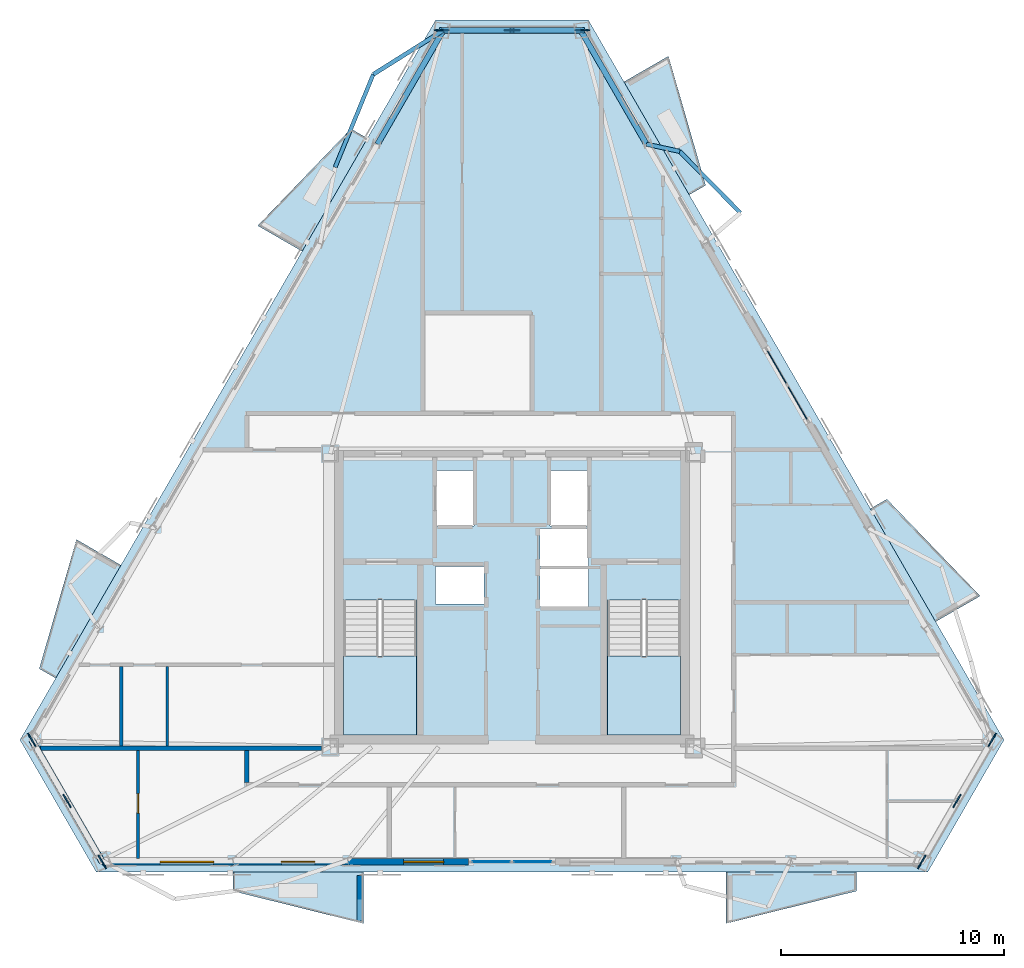
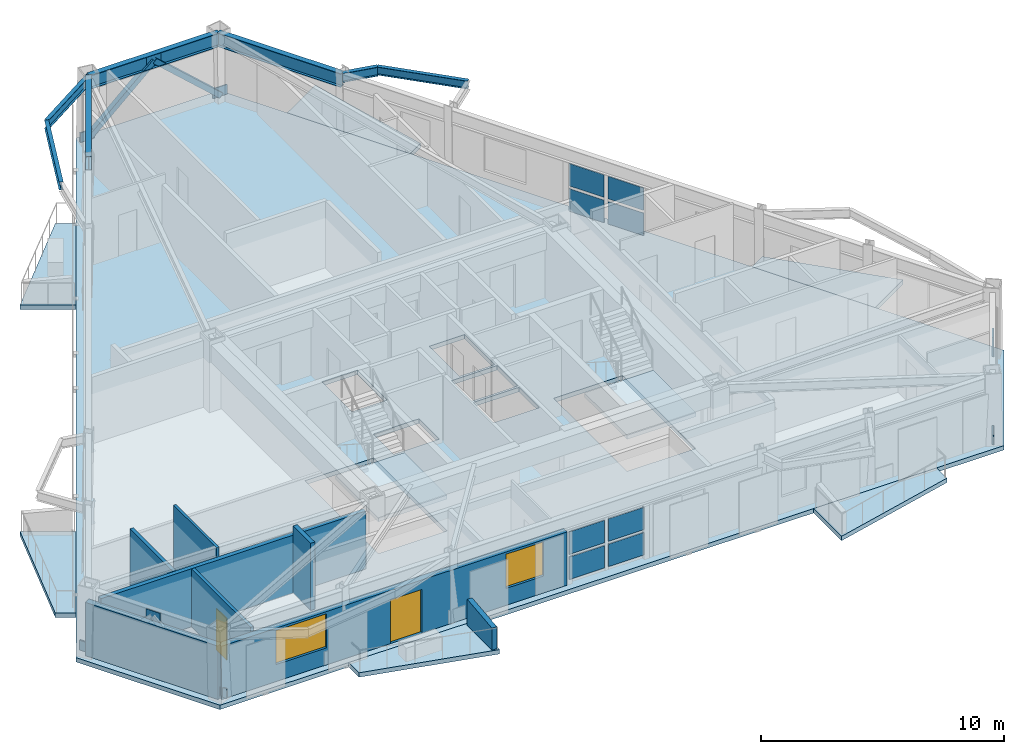
# One storey, part 5 of 12: 17 plates, 9 slabs, 8 walls, 7 beams, 2 doors, 2 members, 2 windows, 4 openings, 4 elements without a shape of their own.
"""IFC4 building model written with IfcOpenShell, lengths in metres."""

from ifc_helpers import new_model, si_unit, direction, frame, frame_2d, origin, origin_2d, place, context, subcontext, project, spatial, polyline, rectangle, hollow_rectangle, i_section, outline, extrude, material, layer, layer_set, material_profile, profile_set, type_object, element, fill, aggregate, save


model = new_model("IFC4")

# Units and contexts
model_context = context("Model", 3, precision=1e-05, world=origin(), true_north=direction((0.0, 1.0)))
body_context = subcontext(model_context, "Body", "Model", "MODEL_VIEW")
ifc_project = project(units=[si_unit("LENGTHUNIT", "METRE"), si_unit("AREAUNIT", "SQUARE_METRE"), si_unit("VOLUMEUNIT", "CUBIC_METRE"), si_unit("PLANEANGLEUNIT", "RADIAN"), si_unit("MASSUNIT", "GRAM", prefix="KILO")], contexts=[model_context])

# Site, building, storey
site_placement = place(None, origin())
site = spatial("IfcSite", under=ifc_project, at=site_placement, CompositionType="ELEMENT")
building_placement = place(site_placement, origin())
building = spatial("IfcBuilding", under=site, at=building_placement, Name="Oramaril Tower", CompositionType="ELEMENT")
storey_placement = place(building_placement, frame((0.0, 0.0, 227.10009765625)))
storey = spatial("IfcBuildingStorey", under=building, at=storey_placement, Name="L60", CompositionType="ELEMENT", Elevation=227.10009765625)

# Beams
ifc_material_1 = material(Name="Steel ASTM A572 Gr 50", Category="steel")
ifc_material_profile_1 = material_profile(ifc_material_1, i_section(OverallWidth=0.19091796875, OverallDepth=0.45703125, WebThickness=0.009033203125, FlangeThickness=0.014404296875, at=origin_2d()), Name="W18X50")
ifc_profile_set_1 = profile_set([ifc_material_profile_1], Name="Steel ASTM A572 Gr 50")
beam_type_1 = type_object("IfcBeamType", Name="BT-BB1", PredefinedType="BEAM", material=ifc_profile_set_1)
beam_1_placement = place(storey_placement, frame((43.530029296875, 38.027099609375, 3.1513671875), z_axis=(0.977186481747, -0.212383097, 0.0), x_axis=(0.212383097, 0.977186481747, 0.0)))
element("IfcBeam", 1, at=beam_1_placement, inside=storey, type_object=beam_type_1, Name="L60 Balcony Column-Framed Cantilever 04.2", PredefinedType="BEAM", context=body_context, shape_type="SweptSolid", body=[
    extrude(i_section(OverallWidth=0.19091796875, OverallDepth=0.45703125, WebThickness=0.009033203125, FlangeThickness=0.014404296875, at=origin_2d()), origin(), (0.0, 0.0, 1.0), 1.524169921875),
])
beam_2_placement = place(storey_placement, frame((34.41357421875, 43.125732421875, 3.1513671875), z_axis=(-0.846798752878, -0.531913406604, 0.0), x_axis=(0.531913406604, -0.846798752878, 0.0)))
element("IfcBeam", 2, at=beam_2_placement, inside=storey, type_object=beam_type_1, Name="L60 Balcony Column-Framed Cantilever 05.1", PredefinedType="BEAM", context=body_context, shape_type="SweptSolid", body=[
    extrude(i_section(OverallWidth=0.19091796875, OverallDepth=0.45703125, WebThickness=0.009033203125, FlangeThickness=0.014404296875, at=origin_2d()), origin(), (0.0, 0.0, 1.0), 3.699951171875),
])
ifc_material_2 = material(Name="Steel ASTM A572 Gr 50", Category="steel")
ifc_material_profile_2 = material_profile(ifc_material_2, i_section(OverallWidth=0.177978515625, OverallDepth=0.404052734375, WebThickness=0.007568359375, FlangeThickness=0.010986328125, at=origin_2d()), Name="W16X36")
ifc_profile_set_2 = profile_set([ifc_material_profile_2], Name="Steel ASTM A572 Gr 50")
beam_type_2 = type_object("IfcBeamType", Name="BT-SB1", PredefinedType="BEAM", material=ifc_profile_set_2)
beam_3_placement = place(storey_placement, frame((47.740234375, 34.950927734375, 3.177978515625), z_axis=(-0.702994511648, 0.71119527318, 0.0), x_axis=(-0.71119527318, -0.702994511648, 0.0)))
element("IfcBeam", 3, at=beam_3_placement, inside=storey, type_object=beam_type_2, Name="L60 Balcony Edge Tie Beam 04", PredefinedType="BEAM", context=body_context, shape_type="SweptSolid", body=[
    extrude(i_section(OverallWidth=0.177978515625, OverallDepth=0.404052734375, WebThickness=0.007568359375, FlangeThickness=0.010986328125, at=origin_2d()), origin(), (0.0, 0.0, 1.0), 3.8701171875),
])
beam_4_placement = place(storey_placement, frame((31.280517578125, 41.15771484375, 3.177978515625), z_axis=(-0.379857521813, -0.925045005998, 0.0), x_axis=(0.925045005998, -0.379857521813, 0.0)))
element("IfcBeam", 4, at=beam_4_placement, inside=storey, type_object=beam_type_2, Name="L60 Balcony Edge Tie Beam 05", PredefinedType="BEAM", context=body_context, shape_type="SweptSolid", body=[
    extrude(i_section(OverallWidth=0.177978515625, OverallDepth=0.404052734375, WebThickness=0.007568359375, FlangeThickness=0.010986328125, at=origin_2d()), origin(), (0.0, 0.0, 1.0), 4.5009765625),
])
ifc_material_3 = material(Name="Steel ASTM A572 Gr 50", Category="steel")
ifc_material_profile_3 = material_profile(ifc_material_3, i_section(OverallWidth=0.257080078125, OverallDepth=0.693115234375, WebThickness=0.014404296875, FlangeThickness=0.023681640625, at=origin_2d()), Name="W27X114")
ifc_profile_set_3 = profile_set([ifc_material_profile_3], Name="Steel ASTM A572 Gr 50")
beam_type_3 = type_object("IfcBeamType", Name="BT-SP4", PredefinedType="SPANDREL", material=ifc_profile_set_3)
beam_5_placement = place(storey_placement, frame((43.530029296875, 38.027099609375, 3.033447265625), z_axis=(-0.499988087393, 0.866032281422, 0.0), x_axis=(-0.866032281422, -0.499988087393, 0.0)))
element("IfcBeam", 5, at=beam_5_placement, inside=storey, type_object=beam_type_3, Name="L60 Perimeter Spandrel 12", PredefinedType="SPANDREL", context=body_context, shape_type="SweptSolid", body=[
    extrude(i_section(OverallWidth=0.257080078125, OverallDepth=0.693115234375, WebThickness=0.014404296875, FlangeThickness=0.023681640625, at=origin_2d()), origin(), (0.0, 0.0, 1.0), 5.887451171875),
])
beam_6_placement = place(storey_placement, frame((40.58642578125, 43.125732421875, 3.033447265625), z_axis=(-1.0, 0.0, 0.0), x_axis=(0.0, -1.0, 0.0)))
element("IfcBeam", 6, at=beam_6_placement, inside=storey, type_object=beam_type_3, Name="L60 Perimeter Spandrel 13", PredefinedType="SPANDREL", context=body_context, shape_type="SweptSolid", body=[
    extrude(i_section(OverallWidth=0.257080078125, OverallDepth=0.693115234375, WebThickness=0.014404296875, FlangeThickness=0.023681640625, at=origin_2d()), origin(), (0.0, 0.0, 1.0), 6.1728515625),
])
beam_7_placement = place(storey_placement, frame((34.41357421875, 43.125732421875, 3.033447265625), z_axis=(-0.499988087393, -0.866032281422, 0.0), x_axis=(0.866032281422, -0.499988087393, 0.0)))
element("IfcBeam", 7, at=beam_7_placement, inside=storey, type_object=beam_type_3, Name="L60 Perimeter Spandrel 14", PredefinedType="SPANDREL", context=body_context, shape_type="SweptSolid", body=[
    extrude(i_section(OverallWidth=0.257080078125, OverallDepth=0.693115234375, WebThickness=0.014404296875, FlangeThickness=0.023681640625, at=origin_2d()), origin(), (0.0, 0.0, 1.0), 5.887451171875),
])

# Members
ifc_material_4 = material(Name="Steel ASTM A572 Gr 50", Category="steel")
ifc_material_profile_4 = material_profile(ifc_material_4, hollow_rectangle(XDim=0.25, YDim=0.25, WallThickness=0.011962890625, at=origin_2d()), Name="HSS250X250X12")
ifc_profile_set_4 = profile_set([ifc_material_profile_4], Name="Steel ASTM A572 Gr 50")
member_type = type_object("IfcMemberType", Name="MT-KB3", PredefinedType="BRACE", material=ifc_profile_set_4)
for number, where, z_axis, x_axis, name in (
    (8, (40.656005859375, 43.135009765625, 0.179931640625), (-0.741760037469, 0.0, 0.670665376185), (0.0, -1.0, 0.0), "L60 Perimeter Chevron Brace KB-3A"),
    (9, (34.343994140625, 43.135009765625, 0.179931640625), (0.741760037469, 0.0, 0.670665376185), (0.0, 1.0, 0.0), "L60 Perimeter Chevron Brace KB-3B"),
):
    element("IfcMember", number, at=place(storey_placement, frame(where, z_axis=z_axis, x_axis=x_axis)), inside=storey, type_object=member_type, Name=name, PredefinedType="BRACE", context=body_context, shape_type="SweptSolid", body=[
        extrude(hollow_rectangle(XDim=0.25, YDim=0.25, WallThickness=0.011962890625, at=origin_2d()), origin(), (0.0, 0.0, 1.0), 4.254638671875),
    ])

# Curtain wall, plates
ifc_material_5 = material(Name="Anodised Aluminium 6063-T6", Category="aluminium")
ifc_layer_1 = layer(ifc_material_5, 0.179931640625)
ifc_layer_set_1 = layer_set([ifc_layer_1], Name="CWT-SYS4")
curtain_wall_type = type_object("IfcCurtainWallType", Name="CWT-SYS4", PredefinedType="NOTDEFINED", material=ifc_layer_set_1)
curtain_wall_1_placement = place(storey_placement, origin())
curtain_wall_1 = element("IfcCurtainWall", 10, at=curtain_wall_1_placement, inside=storey, type_object=curtain_wall_type, Name="L60 Unitised Curtain Wall CW-4", PredefinedType="NOTDEFINED")
ifc_material_6 = material(Name="Coastal Low-E Insulated Glass", Category="glass")
ifc_layer_2 = layer(ifc_material_6, 0.0400390625)
ifc_layer_set_2 = layer_set([ifc_layer_2], Name="PLT-CWP4")
plate_type_1 = type_object("IfcPlateType", Name="PLT-CWP4", PredefinedType="CURTAIN_PANEL", material=ifc_layer_set_2)
plate_1_placement = place(storey_placement, frame((36.570068359375, 5.849365234375, 0.139892578125), z_axis=(0.0, 0.0, 1.0), x_axis=(1.0, 0.0, 0.0)))
plate_1 = element("IfcPlate", 11, at=plate_1_placement, type_object=plate_type_1, Name="CW-4 panel 1.1", PredefinedType="CURTAIN_PANEL", context=body_context, shape_type="SweptSolid", body=[
    extrude(rectangle(XDim=1.679931640625, YDim=0.0400390625, at=origin_2d()), origin(), (0.0, 0.0, 1.0), 1.12841796875),
])
plate_2_placement = place(storey_placement, frame((36.570068359375, 5.849365234375, 1.408447265625), z_axis=(0.0, 0.0, 1.0), x_axis=(1.0, 0.0, 0.0)))
plate_2 = element("IfcPlate", 12, at=plate_2_placement, type_object=plate_type_1, Name="CW-4 panel 1.2", PredefinedType="CURTAIN_PANEL", context=body_context, shape_type="SweptSolid", body=[
    extrude(rectangle(XDim=1.679931640625, YDim=0.0400390625, at=origin_2d()), origin(), (0.0, 0.0, 1.0), 1.12841796875),
])
plate_3_placement = place(storey_placement, frame((38.429931640625, 5.849365234375, 0.139892578125), z_axis=(0.0, 0.0, 1.0), x_axis=(1.0, 0.0, 0.0)))
plate_3 = element("IfcPlate", 13, at=plate_3_placement, type_object=plate_type_1, Name="CW-4 panel 2.1", PredefinedType="CURTAIN_PANEL", context=body_context, shape_type="SweptSolid", body=[
    extrude(rectangle(XDim=1.679931640625, YDim=0.0400390625, at=origin_2d()), origin(), (0.0, 0.0, 1.0), 1.12841796875),
])
plate_4_placement = place(storey_placement, frame((38.429931640625, 5.849365234375, 1.408447265625), z_axis=(0.0, 0.0, 1.0), x_axis=(1.0, 0.0, 0.0)))
plate_4 = element("IfcPlate", 14, at=plate_4_placement, type_object=plate_type_1, Name="CW-4 panel 2.2", PredefinedType="CURTAIN_PANEL", context=body_context, shape_type="SweptSolid", body=[
    extrude(rectangle(XDim=1.679931640625, YDim=0.0400390625, at=origin_2d()), origin(), (0.0, 0.0, 1.0), 1.12841796875),
])
aggregate(curtain_wall_1, [plate_1, plate_2, plate_3, plate_4])

curtain_wall_2_placement = place(storey_placement, origin())
curtain_wall_2 = element("IfcCurtainWall", 15, at=curtain_wall_2_placement, inside=storey, type_object=curtain_wall_type, Name="L60 Unitised Curtain Wall CW-4", PredefinedType="NOTDEFINED")
plate_5_placement = place(storey_placement, frame((50.306396484375, 26.419921875, 0.139892578125), z_axis=(0.0, 0.0, 1.0), x_axis=(-0.499999897278, 0.866025463091, 0.0)))
plate_5 = element("IfcPlate", 16, at=plate_5_placement, type_object=plate_type_1, Name="CW-4 panel 1.1", PredefinedType="CURTAIN_PANEL", context=body_context, shape_type="SweptSolid", body=[
    extrude(rectangle(XDim=1.679931640625, YDim=0.0400390625, at=origin_2d()), origin(), (0.0, 0.0, 1.0), 1.12841796875),
])
plate_6_placement = place(storey_placement, frame((50.306396484375, 26.419921875, 1.408447265625), z_axis=(0.0, 0.0, 1.0), x_axis=(-0.499999897278, 0.866025463091, 0.0)))
plate_6 = element("IfcPlate", 17, at=plate_6_placement, type_object=plate_type_1, Name="CW-4 panel 1.2", PredefinedType="CURTAIN_PANEL", context=body_context, shape_type="SweptSolid", body=[
    extrude(rectangle(XDim=1.679931640625, YDim=0.0400390625, at=origin_2d()), origin(), (0.0, 0.0, 1.0), 1.12841796875),
])
plate_7_placement = place(storey_placement, frame((49.37646484375, 28.03076171875, 0.139892578125), z_axis=(0.0, 0.0, 1.0), x_axis=(-0.499999897278, 0.866025463091, 0.0)))
plate_7 = element("IfcPlate", 18, at=plate_7_placement, type_object=plate_type_1, Name="CW-4 panel 2.1", PredefinedType="CURTAIN_PANEL", context=body_context, shape_type="SweptSolid", body=[
    extrude(rectangle(XDim=1.679931640625, YDim=0.0400390625, at=origin_2d()), origin(), (0.0, 0.0, 1.0), 1.12841796875),
])
plate_8_placement = place(storey_placement, frame((49.37646484375, 28.03076171875, 1.408447265625), z_axis=(0.0, 0.0, 1.0), x_axis=(-0.499999897278, 0.866025463091, 0.0)))
plate_8 = element("IfcPlate", 19, at=plate_8_placement, type_object=plate_type_1, Name="CW-4 panel 2.2", PredefinedType="CURTAIN_PANEL", context=body_context, shape_type="SweptSolid", body=[
    extrude(rectangle(XDim=1.679931640625, YDim=0.0400390625, at=origin_2d()), origin(), (0.0, 0.0, 1.0), 1.12841796875),
])
aggregate(curtain_wall_2, [plate_5, plate_6, plate_7, plate_8])

# Plates
ifc_material_7 = material(Name="Steel ASTM A572 Gr 50", Category="steel")
ifc_layer_3 = layer(ifc_material_7, 0.06005859375)
ifc_layer_set_3 = layer_set([ifc_layer_3], Name="PLT-G60")
plate_type_2 = type_object("IfcPlateType", Name="PLT-G60", PredefinedType="USERDEFINED", material=ifc_layer_set_3)
for number, where, z_axis, x_axis, name in (
    (20, (17.551025390625, 8.58251953125, 2.79345703125), (0.0, 0.0, 1.0), (0.500003022996, -0.86602365845, 0.0), "L60 Chevron Brace Gusset Plate BN-1"),
    (21, (15.97314453125, 11.315673828125, 0.099853515625), (0.0, 0.0, 1.0), (0.500003022996, -0.86602365845, 0.0), "L60 Chevron Brace Gusset Plate BN-1"),
    (22, (19.129150390625, 5.849365234375, 0.099853515625), (0.0, 0.0, 1.0), (0.500003022996, -0.86602365845, 0.0), "L60 Chevron Brace Gusset Plate BN-1"),
    (23, (57.448974609375, 8.58251953125, 2.79345703125), (0.0, 0.0, 1.0), (0.500003022996, 0.86602365845, 0.0), "L60 Chevron Brace Gusset Plate BN-1"),
    (24, (55.870849609375, 5.849365234375, 0.099853515625), (0.0, 0.0, 1.0), (0.500003022996, 0.86602365845, 0.0), "L60 Chevron Brace Gusset Plate BN-1"),
    (25, (59.02685546875, 11.315673828125, 0.099853515625), (0.0, 0.0, 1.0), (0.500003022996, 0.86602365845, 0.0), "L60 Chevron Brace Gusset Plate BN-1"),
    (26, (37.5, 43.135009765625, 2.79345703125), (0.0, 0.0, 1.0), (-1.0, 0.0, 0.0), "L60 Chevron Brace Gusset Plate BN-1"),
    (27, (40.656005859375, 43.135009765625, 0.099853515625), (0.0, 0.0, 1.0), (-1.0, 0.0, 0.0), "L60 Chevron Brace Gusset Plate BN-1"),
    (28, (34.343994140625, 43.135009765625, 0.099853515625), (0.0, 0.0, 1.0), (-1.0, 0.0, 0.0), "L60 Chevron Brace Gusset Plate BN-1"),
):
    element("IfcPlate", number, at=place(storey_placement, frame(where, z_axis=z_axis, x_axis=x_axis)), inside=storey, type_object=plate_type_2, Name=name, ObjectType="GUSSET", PredefinedType="USERDEFINED", context=body_context, shape_type="SweptSolid", body=[
        extrude(rectangle(XDim=0.679931640625, YDim=0.06005859375, at=origin_2d()), origin(), (0.0, 0.0, 1.0), 0.47998046875),
    ])

# Slabs
ifc_material_8 = material(Name="Concrete C40/50", Category="concrete")
ifc_layer_4 = layer(ifc_material_8, 0.199951171875)
ifc_layer_set_4 = layer_set([ifc_layer_4], Name="SLT-BAL20")
slab_type_1 = type_object("IfcSlabType", Name="SLT-BAL20", PredefinedType="FLOOR", material=ifc_layer_set_4)
slab_1_placement = place(storey_placement, frame((0.0, 0.0, -0.22021484375)))
element("IfcSlab", 29, at=slab_1_placement, inside=storey, type_object=slab_type_1, Name="L60 Cantilevered Balcony Slab L60-BAL-S2", PredefinedType="FLOOR", context=body_context, shape_type="SweptSolid", body=[
    extrude(outline(polyline([(47.08642578125, 5.391357421875), (52.9365234375, 5.391357421875), (52.9365234375, 4.539306640625), (47.08642578125, 3.08935546875), (47.08642578125, 5.391357421875)])), origin(), (0.0, 0.0, 1.0), 0.22021484375),
])
slab_2_placement = place(storey_placement, frame((0.0, 0.0, -0.22021484375)))
element("IfcSlab", 30, at=slab_2_placement, inside=storey, type_object=slab_type_1, Name="L60 Cantilevered Balcony Slab L60-BAL-NE1", PredefinedType="FLOOR", context=body_context, shape_type="SweptSolid", body=[
    extrude(outline(polyline([(56.493896484375, 16.618896484375), (53.56884765625, 21.685302734375), (54.306640625, 22.111328125), (58.487548828125, 17.77001953125), (56.493896484375, 16.618896484375)])), origin(), (0.0, 0.0, 1.0), 0.22021484375),
])
slab_3_placement = place(storey_placement, frame((0.0, 0.0, -0.22021484375)))
element("IfcSlab", 31, at=slab_3_placement, inside=storey, type_object=slab_type_1, Name="L60 Cantilevered Balcony Slab L60-BAL-NW2", PredefinedType="FLOOR", context=body_context, shape_type="SweptSolid", body=[
    extrude(outline(polyline([(19.968505859375, 19.152099609375), (17.043701171875, 14.0859375), (16.305908203125, 14.511962890625), (17.97509765625, 20.302978515625), (19.968505859375, 19.152099609375)])), origin(), (0.0, 0.0, 1.0), 0.22021484375),
])
ifc_material_9 = material(Name="Concrete C50/60", Category="concrete")
ifc_layer_5 = layer(ifc_material_9, 0.219970703125)
ifc_layer_set_5 = layer_set([ifc_layer_5], Name="SLT-FLR22")
slab_type_2 = type_object("IfcSlabType", Name="SLT-FLR22", PredefinedType="FLOOR", material=ifc_layer_set_5)
slab_4_placement = place(storey_placement, frame((0.0, 0.0, -0.22021484375)))
element("IfcSlab", 32, at=slab_4_placement, inside=storey, type_object=slab_type_2, Name="L60 Structural Floor Slab", PredefinedType="FLOOR", context=body_context, shape_type="SweptSolid", body=[
    extrude(outline(polyline([(15.44189453125, 11.315673828125), (18.863525390625, 5.389404296875), (56.136474609375, 5.389404296875), (59.55810546875, 11.315673828125), (40.921630859375, 43.59521484375), (34.078369140625, 43.59521484375), (15.44189453125, 11.315673828125)]), holes=[polyline([(29.949951171875, 17.58935546875), (29.949951171875, 11.550048828125), (33.219970703125, 11.550048828125), (33.219970703125, 17.58935546875), (29.949951171875, 17.58935546875)]), polyline([(41.780029296875, 17.58935546875), (41.780029296875, 11.550048828125), (45.050048828125, 11.550048828125), (45.050048828125, 17.58935546875), (41.780029296875, 17.58935546875)]), polyline([(34.110107421875, 20.909912109375), (35.7900390625, 20.909912109375), (35.7900390625, 23.389892578125), (34.110107421875, 23.389892578125), (34.110107421875, 20.909912109375)]), polyline([(39.2099609375, 20.909912109375), (40.889892578125, 20.909912109375), (40.889892578125, 23.389892578125), (39.2099609375, 23.389892578125), (39.2099609375, 20.909912109375)]), polyline([(34.06005859375, 17.409912109375), (36.239990234375, 17.409912109375), (36.239990234375, 19.090087890625), (34.06005859375, 19.090087890625), (34.06005859375, 17.409912109375)]), polyline([(38.760009765625, 17.31005859375), (40.93994140625, 17.31005859375), (40.93994140625, 18.989990234375), (38.760009765625, 18.989990234375), (38.760009765625, 17.31005859375)]), polyline([(38.760009765625, 19.110107421875), (40.93994140625, 19.110107421875), (40.93994140625, 20.7900390625), (38.760009765625, 20.7900390625), (38.760009765625, 19.110107421875)])]), origin(), (0.0, 0.0, 1.0), 0.22021484375),
])

# Stair, slab
ifc_material_10 = material(Name="Concrete C50/60", Category="concrete")
stair_type = type_object("IfcStairType", Name="STT-DG-3600", PredefinedType="HALF_TURN_STAIR", material=ifc_material_10)
stair_1_placement = place(storey_placement, origin())
stair_1 = element("IfcStair", 33, at=stair_1_placement, inside=storey, type_object=stair_type, Name="L60 Protected PFP Exit Stair ST-1", PredefinedType="HALF_TURN_STAIR")
ifc_material_11 = material(Name="Concrete C50/60", Category="concrete")
ifc_layer_6 = layer(ifc_material_11, 0.199951171875)
ifc_layer_set_6 = layer_set([ifc_layer_6], Name="SLT-LND20")
slab_type_3 = type_object("IfcSlabType", Name="SLT-LND20", PredefinedType="LANDING", material=ifc_layer_set_6)
slab_5_placement = place(storey_placement, frame((0.0, 0.0, 1.599853515625)))
slab_5 = element("IfcSlab", 34, at=slab_5_placement, type_object=slab_type_3, Name="ST-1 landing 1", PredefinedType="LANDING", context=body_context, shape_type="SweptSolid", body=[
    extrude(outline(polyline([(29.949951171875, 15.070068359375), (29.949951171875, 11.550048828125), (33.219970703125, 11.550048828125), (33.219970703125, 15.070068359375), (29.949951171875, 15.070068359375)])), origin(), (0.0, 0.0, 1.0), 0.199951171875),
])
aggregate(stair_1, [slab_5])

stair_2_placement = place(storey_placement, origin())
stair_2 = element("IfcStair", 35, at=stair_2_placement, inside=storey, type_object=stair_type, Name="L60 Protected PFP Exit Stair ST-2", PredefinedType="HALF_TURN_STAIR")
slab_6_placement = place(storey_placement, frame((0.0, 0.0, 1.599853515625)))
slab_6 = element("IfcSlab", 36, at=slab_6_placement, type_object=slab_type_3, Name="ST-2 landing 1", PredefinedType="LANDING", context=body_context, shape_type="SweptSolid", body=[
    extrude(outline(polyline([(41.780029296875, 15.070068359375), (41.780029296875, 11.550048828125), (45.050048828125, 11.550048828125), (45.050048828125, 15.070068359375), (41.780029296875, 15.070068359375)])), origin(), (0.0, 0.0, 1.0), 0.199951171875),
])
aggregate(stair_2, [slab_6])

# Slabs
ifc_material_12 = material(Name="Concrete C40/50", Category="concrete")
ifc_layer_7 = layer(ifc_material_12, 0.18994140625)
ifc_layer_set_7 = layer_set([ifc_layer_7], Name="SLT-PLN19")
slab_type_4 = type_object("IfcSlabType", Name="SLT-PLN19", PredefinedType="FLOOR", material=ifc_layer_set_7)
slab_7_placement = place(storey_placement, frame((0.0, 0.0, -0.22021484375)))
element("IfcSlab", 37, at=slab_7_placement, inside=storey, type_object=slab_type_4, Name="L60 Tree Planter Balcony Slab L60-BAL-S1", PredefinedType="FLOOR", context=body_context, shape_type="SweptSolid", body=[
    extrude(outline(polyline([(24.988525390625, 5.391357421875), (30.83837890625, 5.391357421875), (30.83837890625, 3.08935546875), (24.988525390625, 4.539306640625), (24.988525390625, 5.391357421875)])), origin(), (0.0, 0.0, 1.0), 0.22021484375),
])
slab_8_placement = place(storey_placement, frame((0.0, 0.0, -0.22021484375)))
element("IfcSlab", 38, at=slab_8_placement, inside=storey, type_object=slab_type_4, Name="L60 Tree Planter Balcony Slab L60-BAL-NE2", PredefinedType="FLOOR", context=body_context, shape_type="SweptSolid", body=[
    extrude(outline(polyline([(45.44482421875, 35.756591796875), (42.52001953125, 40.82275390625), (44.513427734375, 41.973876953125), (46.1826171875, 36.1826171875), (45.44482421875, 35.756591796875)])), origin(), (0.0, 0.0, 1.0), 0.22021484375),
])
slab_9_placement = place(storey_placement, frame((0.0, 0.0, -0.22021484375)))
element("IfcSlab", 39, at=slab_9_placement, inside=storey, type_object=slab_type_4, Name="L60 Tree Planter Balcony Slab L60-BAL-NW1", PredefinedType="FLOOR", context=body_context, shape_type="SweptSolid", body=[
    extrude(outline(polyline([(31.017578125, 38.289794921875), (28.092529296875, 33.223388671875), (26.09912109375, 34.37451171875), (30.27978515625, 38.7158203125), (31.017578125, 38.289794921875)])), origin(), (0.0, 0.0, 1.0), 0.22021484375),
])

# Wall
ifc_material_13 = material(Name="Warm Cream Limestone", Category="masonry")
ifc_layer_8 = layer(ifc_material_13, 0.2900390625)
ifc_layer_set_8 = layer_set([ifc_layer_8], Name="WT-EXT29")
wall_type_1 = type_object("IfcWallType", Name="WT-EXT29", PredefinedType="SOLIDWALL", material=ifc_layer_set_8)
wall_1_placement = place(storey_placement, frame((15.97314453125, 11.315673828125, 0.0), z_axis=(0.0, 0.0, 1.0), x_axis=(0.500003697889, -0.866023268797, 0.0)))
element("IfcWall", 40, at=wall_1_placement, inside=storey, type_object=wall_type_1, Name="L60 Tower Limestone Facade Wall 1M", PredefinedType="SOLIDWALL", context=body_context, shape_type="SweptSolid", body=[
    extrude(rectangle(XDim=6.31201171875, YDim=0.2900390625, at=frame_2d((3.156005859375, 0.0))), origin(), (0.0, 0.0, 1.0), 2.677001953125),
])

# Wall, openings, door, windows
wall_2_placement = place(storey_placement, frame((19.129150390625, 5.849365234375, 0.0), z_axis=(0.0, 0.0, 1.0), x_axis=(1.0, 0.0, 0.0)))
wall_2 = element("IfcWall", 41, at=wall_2_placement, inside=storey, type_object=wall_type_1, Name="L60 Tower Limestone Facade Wall 2L", PredefinedType="SOLIDWALL", context=body_context, shape_type="SweptSolid", body=[
    extrude(rectangle(XDim=16.4208984375, YDim=0.2900390625, at=frame_2d((8.21044921875, 0.0))), origin(), (0.0, 0.0, 1.0), 2.677001953125),
])
opening_1_placement = place(wall_2_placement, frame((8.034423828125, 0.0, 0.0)))
opening_1 = element("IfcOpeningElement", 42, at=opening_1_placement, cuts=wall_2, Name="Opening D-L60-BAL-S1", PredefinedType="OPENING", context=body_context, shape_type="SweptSolid", body=[
    extrude(rectangle(XDim=1.5, YDim=2.199951171875, at=frame_2d((0.75, 1.10009765625))), frame((0.0, 0.14501953125, 0.0), z_axis=(0.0, -1.0, 0.0), x_axis=(1.0, 0.0, 0.0)), (0.0, 0.0, 1.0), 0.2900390625),
])
opening_2_placement = place(wall_2_placement, frame((2.59326171875, 0.0, 0.85009765625)))
opening_2 = element("IfcOpeningElement", 43, at=opening_2_placement, cuts=wall_2, Name="Opening WN-03", PredefinedType="OPENING", context=body_context, shape_type="SweptSolid", body=[
    extrude(rectangle(XDim=2.39990234375, YDim=1.717041015625, at=frame_2d((1.199951171875, 0.8583984375))), frame((0.0, 0.14501953125, 0.0), z_axis=(0.0, -1.0, 0.0), x_axis=(1.0, 0.0, 0.0)), (0.0, 0.0, 1.0), 0.2900390625),
])
opening_3_placement = place(wall_2_placement, frame((13.5078125, 0.0, 0.85009765625)))
opening_3 = element("IfcOpeningElement", 44, at=opening_3_placement, cuts=wall_2, Name="Opening WN-06", PredefinedType="OPENING", context=body_context, shape_type="SweptSolid", body=[
    extrude(rectangle(XDim=1.800048828125, YDim=1.717041015625, at=frame_2d((0.89990234375, 0.8583984375))), frame((0.0, 0.14501953125, 0.0), z_axis=(0.0, -1.0, 0.0), x_axis=(1.0, 0.0, 0.0)), (0.0, 0.0, 1.0), 0.2900390625),
])
ifc_material_14 = material(Name="Anodised Aluminium 6063-T6", Category="aluminium")
door_type_1 = type_object("IfcDoorType", Name="DT-BAL", OperationType="NOTDEFINED", PredefinedType="DOOR", material=ifc_material_14)
door_1_placement = place(opening_1_placement, origin())
door_1 = element("IfcDoor", 45, at=door_1_placement, inside=storey, type_object=door_type_1, Name="L60 Balcony Glazed Door L60-BAL-S1", OperationType="SINGLE_SWING_LEFT", OverallHeight=2.199951171875, OverallWidth=1.5, PredefinedType="DOOR", context=body_context, shape_type="SweptSolid", body=[
    extrude(rectangle(XDim=1.5, YDim=2.199951171875, at=frame_2d((0.75, 1.10009765625))), frame((0.0, 0.02490234375, 0.0), z_axis=(0.0, -1.0, 0.0), x_axis=(1.0, 0.0, 0.0)), (0.0, 0.0, 1.0), 0.050048828125),
])
fill(opening_1, door_1)
ifc_material_15 = material(Name="Coastal Low-E Insulated Glass", Category="glass")
window_type_1 = type_object("IfcWindowType", Name="WNT-03", PartitioningType="SINGLE_PANEL", PredefinedType="WINDOW", material=ifc_material_15)
window_1_placement = place(opening_2_placement, origin())
window_1 = element("IfcWindow", 46, at=window_1_placement, inside=storey, type_object=window_type_1, Name="L60 Chicago Bay Window WN-03", OverallHeight=1.717041015625, OverallWidth=2.39990234375, PartitioningType="SINGLE_PANEL", PredefinedType="WINDOW", context=body_context, shape_type="SweptSolid", body=[
    extrude(rectangle(XDim=2.39990234375, YDim=1.717041015625, at=frame_2d((1.199951171875, 0.8583984375))), frame((0.0, 0.030029296875, 0.0), z_axis=(0.0, -1.0, 0.0), x_axis=(1.0, 0.0, 0.0)), (0.0, 0.0, 1.0), 0.06005859375),
])
fill(opening_2, window_1)
ifc_material_16 = material(Name="Coastal Low-E Insulated Glass", Category="glass")
window_type_2 = type_object("IfcWindowType", Name="WNT-06", PartitioningType="SINGLE_PANEL", PredefinedType="WINDOW", material=ifc_material_16)
window_2_placement = place(opening_3_placement, origin())
window_2 = element("IfcWindow", 47, at=window_2_placement, inside=storey, type_object=window_type_2, Name="L60 Chicago Bay Window WN-06", OverallHeight=1.717041015625, OverallWidth=1.800048828125, PartitioningType="SINGLE_PANEL", PredefinedType="WINDOW", context=body_context, shape_type="SweptSolid", body=[
    extrude(rectangle(XDim=1.800048828125, YDim=1.717041015625, at=frame_2d((0.89990234375, 0.8583984375))), frame((0.0, 0.030029296875, 0.0), z_axis=(0.0, -1.0, 0.0), x_axis=(1.0, 0.0, 0.0)), (0.0, 0.0, 1.0), 0.06005859375),
])
fill(opening_3, window_2)

# Walls
ifc_material_17 = material(Name="Concrete C40/50", Category="concrete")
ifc_layer_9 = layer(ifc_material_17, 0.22998046875)
ifc_layer_set_9 = layer_set([ifc_layer_9], Name="WT-PRP23")
wall_type_2 = type_object("IfcWallType", Name="WT-PRP23", PredefinedType="PARAPET", material=ifc_layer_set_9)
wall_3_placement = place(storey_placement, frame((30.658447265625, 5.251220703125, 0.0), z_axis=(0.0, 0.0, 1.0), x_axis=(0.0, -1.0, 0.0)))
element("IfcWall", 48, at=wall_3_placement, inside=storey, type_object=wall_type_2, Name="L60 Trapezoidal Balcony Frame Cheek L60-BAL-S1-R", PredefinedType="PARAPET", context=body_context, shape_type="SweptSolid", body=[
    extrude(outline(polyline([(0.0, 0.0), (2.0419921875, 0.0), (2.0419921875, 1.099853515625), (0.0, 1.31982421875), (0.0, 0.0)])), frame((0.0, 0.114990234375, 0.0), z_axis=(0.0, -1.0, 0.0), x_axis=(1.0, 0.0, 0.0)), (0.0, 0.0, 1.0), 0.22998046875),
])
ifc_material_18 = material(Name="Acoustic Gypsum Board Partition")
ifc_layer_10 = layer(ifc_material_18, 0.1201171875)
ifc_layer_set_10 = layer_set([ifc_layer_10], Name="WT-PT12")
wall_type_3 = type_object("IfcWallType", Name="WT-PT12", PredefinedType="PARTITIONING", material=ifc_layer_set_10)
wall_4_placement = place(storey_placement, frame((22.0400390625, 11.053955078125, 0.0), z_axis=(0.0, 0.0, 1.0), x_axis=(0.0, 1.0, 0.0)))
element("IfcWall", 49, at=wall_4_placement, inside=storey, type_object=wall_type_3, Name="L60 Interior Partition PT-12", PredefinedType="PARTITIONING", context=body_context, shape_type="SweptSolid", body=[
    extrude(rectangle(XDim=3.552001953125, YDim=0.1201171875, at=frame_2d((1.77587890625, 0.0))), origin(), (0.0, 0.0, 1.0), 3.3798828125),
])

# Wall, opening, door
ifc_material_19 = material(Name="Acoustic Gypsum Board Partition")
ifc_layer_11 = layer(ifc_material_19, 0.139892578125)
ifc_layer_set_11 = layer_set([ifc_layer_11], Name="WT-PT14")
wall_type_4 = type_object("IfcWallType", Name="WT-PT14", PredefinedType="PARTITIONING", material=ifc_layer_set_11)
wall_5_placement = place(storey_placement, frame((20.739990234375, 5.998291015625, 0.0), z_axis=(0.0, 0.0, 1.0), x_axis=(0.0, 1.0, 0.0)))
wall_5 = element("IfcWall", 50, at=wall_5_placement, inside=storey, type_object=wall_type_4, Name="L60 Interior Partition PT-14", PredefinedType="PARTITIONING", context=body_context, shape_type="SweptSolid", body=[
    extrude(rectangle(XDim=4.84765625, YDim=0.139892578125, at=frame_2d((2.423828125, 0.0))), origin(), (0.0, 0.0, 1.0), 2.912841796875),
])
opening_4_placement = place(wall_5_placement, frame((2.036376953125, 0.0, 0.0)))
opening_4 = element("IfcOpeningElement", 51, at=opening_4_placement, cuts=wall_5, Name="Opening D-L60-18", PredefinedType="OPENING", context=body_context, shape_type="SweptSolid", body=[
    extrude(rectangle(XDim=0.8798828125, YDim=2.080078125, at=frame_2d((0.43994140625, 1.0400390625))), frame((0.0, 0.06982421875, 0.0), z_axis=(0.0, -1.0, 0.0), x_axis=(1.0, 0.0, 0.0)), (0.0, 0.0, 1.0), 0.139892578125),
])
ifc_material_20 = material(Name="FSC Brazilian Freijo Hardwood", Category="wood")
door_type_2 = type_object("IfcDoorType", Name="DT-BATH", OperationType="NOTDEFINED", PredefinedType="DOOR", material=ifc_material_20)
door_2_placement = place(opening_4_placement, origin())
door_2 = element("IfcDoor", 52, at=door_2_placement, inside=storey, type_object=door_type_2, Name="L60 Flat L60-U1 Bathroom Door D-L60-18", OperationType="SINGLE_SWING_RIGHT", OverallHeight=2.080078125, OverallWidth=0.8798828125, PredefinedType="DOOR", context=body_context, shape_type="SweptSolid", body=[
    extrude(rectangle(XDim=0.8798828125, YDim=2.080078125, at=frame_2d((0.43994140625, 1.0400390625))), frame((0.0, 0.02490234375, 0.0), z_axis=(0.0, -1.0, 0.0), x_axis=(1.0, 0.0, 0.0)), (0.0, 0.0, 1.0), 0.050048828125),
])
fill(opening_4, door_2)

# Walls
ifc_material_21 = material(Name="Acoustic Gypsum Board Partition")
ifc_layer_12 = layer(ifc_material_21, 0.159912109375)
ifc_layer_set_12 = layer_set([ifc_layer_12], Name="WT-PT16")
wall_type_5 = type_object("IfcWallType", Name="WT-PT16", PredefinedType="PARTITIONING", material=ifc_layer_set_12)
wall_6_placement = place(storey_placement, frame((19.989990234375, 11.053955078125, 0.0), z_axis=(0.0, 0.0, 1.0), x_axis=(0.0, 1.0, 0.0)))
element("IfcWall", 53, at=wall_6_placement, inside=storey, type_object=wall_type_5, Name="L60 Interior Partition PT-16", PredefinedType="PARTITIONING", context=body_context, shape_type="SweptSolid", body=[
    extrude(rectangle(XDim=3.552001953125, YDim=0.159912109375, at=frame_2d((1.77587890625, 0.0))), origin(), (0.0, 0.0, 1.0), 2.912841796875),
])
ifc_material_22 = material(Name="Autoclaved Cellular Concrete Block", Category="concrete")
ifc_layer_13 = layer(ifc_material_22, 0.199951171875)
ifc_layer_set_13 = layer_set([ifc_layer_13], Name="WT-PT20")
wall_type_6 = type_object("IfcWallType", Name="WT-PT20", PredefinedType="PARTITIONING", material=ifc_layer_set_13)
wall_7_placement = place(storey_placement, frame((16.359619140625, 10.949951171875, 0.0), z_axis=(0.0, 0.0, 1.0), x_axis=(1.0, 0.0, 0.0)))
element("IfcWall", 54, at=wall_7_placement, inside=storey, type_object=wall_type_6, Name="L60 Interior Partition PT-20", PredefinedType="PARTITIONING", context=body_context, shape_type="SweptSolid", body=[
    extrude(rectangle(XDim=12.600341796875, YDim=0.199951171875, at=frame_2d((6.30029296875, 0.0))), origin(), (0.0, 0.0, 1.0), 2.912841796875),
])
wall_8_placement = place(storey_placement, frame((25.60009765625, 9.404052734375, 0.0), z_axis=(0.0, 0.0, 1.0), x_axis=(0.0, 1.0, 0.0)))
element("IfcWall", 55, at=wall_8_placement, inside=storey, type_object=wall_type_6, Name="L60 Interior Partition PT-20", PredefinedType="PARTITIONING", context=body_context, shape_type="SweptSolid", body=[
    extrude(rectangle(XDim=1.44189453125, YDim=0.199951171875, at=frame_2d((0.720947265625, 0.0))), origin(), (0.0, 0.0, 1.0), 3.3798828125),
])

save(model, "model.ifc")
